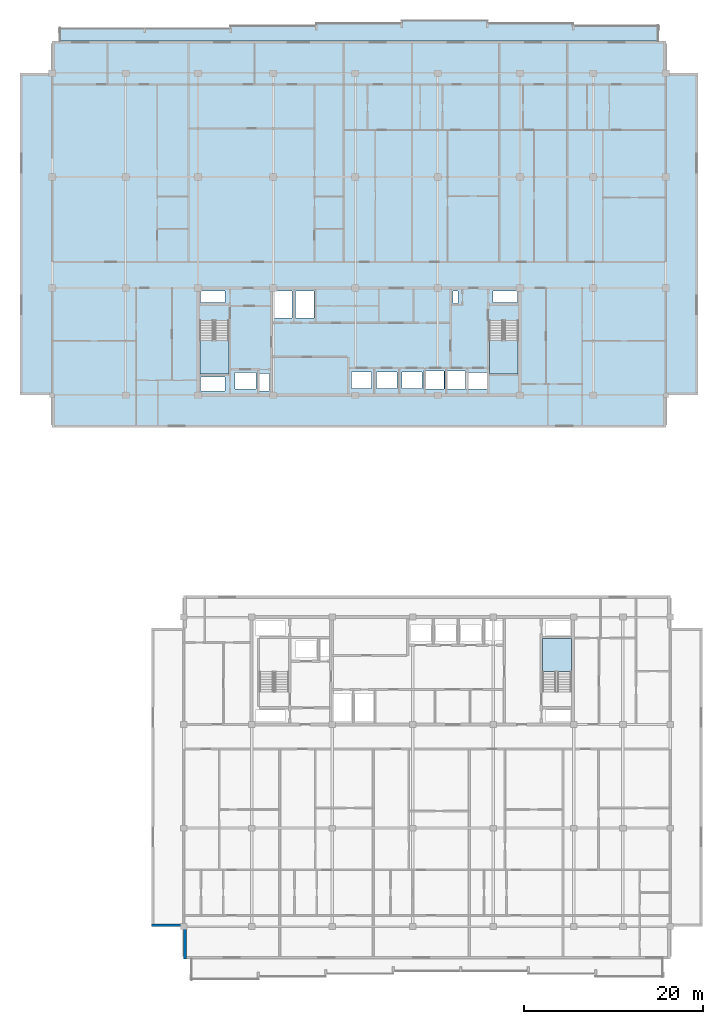
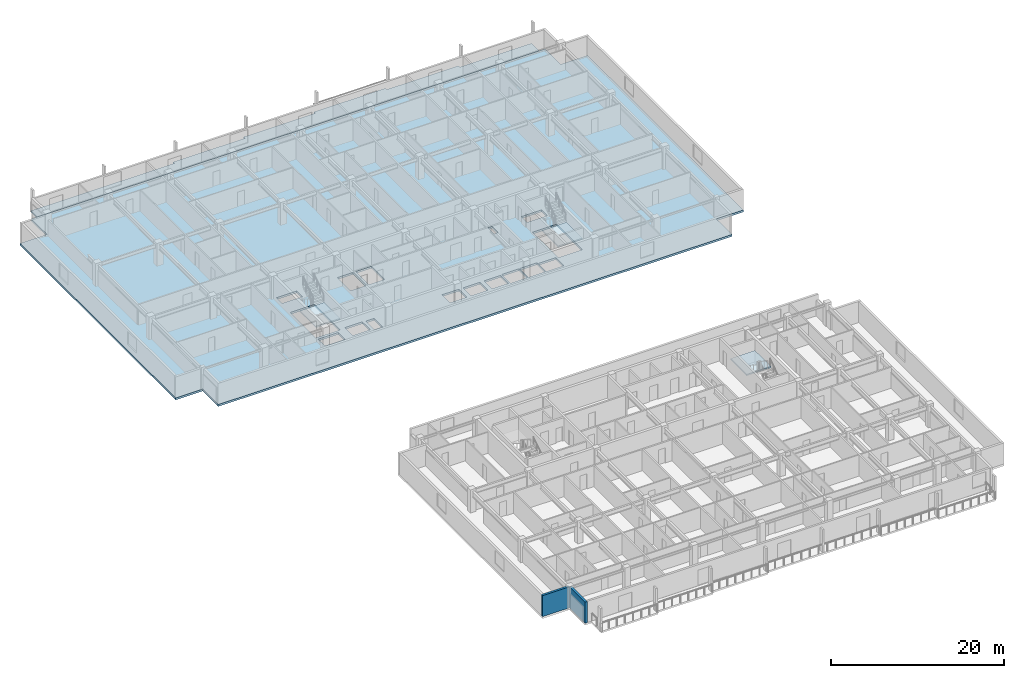
# One storey, part 3 of 21: 5 slabs, 2 walls, 3 elements without a shape of their own.
"""IFC4 building model written with IfcOpenShell, lengths in metres."""

from ifc_helpers import new_model, si_unit, direction, frame, frame_2d, origin, place, context, subcontext, project, spatial, polyline, rectangle, outline, extrude, material, layer, layer_set, type_object, element, aggregate, save


model = new_model("IFC4")

# Units and contexts
model_context = context("Model", 3, precision=1e-05, world=origin(), true_north=direction((0.0, 1.0)))
body_context = subcontext(model_context, "Body", "Model", "MODEL_VIEW")
ifc_project = project(units=[si_unit("LENGTHUNIT", "METRE"), si_unit("AREAUNIT", "SQUARE_METRE"), si_unit("VOLUMEUNIT", "CUBIC_METRE"), si_unit("PLANEANGLEUNIT", "RADIAN"), si_unit("MASSUNIT", "GRAM", prefix="KILO")], contexts=[model_context])

# Site, building, storey
site_placement = place(None, origin())
site = spatial("IfcSite", under=ifc_project, at=site_placement, CompositionType="ELEMENT")
building_placement = place(site_placement, origin())
building = spatial("IfcBuilding", under=site, at=building_placement, Name="Korimba Cascade Residences", CompositionType="ELEMENT")
storey_placement = place(building_placement, frame((0.0, 0.0, 175.10009765625)))
storey = spatial("IfcBuildingStorey", under=building, at=storey_placement, Name="L50", CompositionType="ELEMENT", Elevation=175.10009765625)

# Stair, slab
ifc_material_1 = material(Name="Concrete C50/60", Category="concrete")
stair_type_1 = type_object("IfcStairType", Name="STR-W1-18R-1806", PredefinedType="HALF_TURN_STAIR", material=ifc_material_1)
stair_1_placement = place(storey_placement, origin())
stair_1 = element("IfcStair", 1, at=stair_1_placement, inside=storey, type_object=stair_type_1, Name="L50 Tower 1 West Fire Stair ST-W1", PredefinedType="HALF_TURN_STAIR")
ifc_layer_1 = layer(ifc_material_1, 0.199951171875)
ifc_layer_set_1 = layer_set([ifc_layer_1], Name="Concrete C50/60")
slab_type_1 = type_object("IfcSlabType", Name="SLB-LND-220", PredefinedType="LANDING", material=ifc_layer_set_1)
slab_1_placement = place(storey_placement, frame((0.0, 0.0, 1.4248046875)))
slab_1 = element("IfcSlab", 2, at=slab_1_placement, type_object=slab_type_1, Name="ST-W1 landing 1", PredefinedType="LANDING", context=body_context, shape_type="SweptSolid", body=[
    extrude(outline(polyline([(76.300048828125, 61.31005859375), (76.300048828125, 57.60009765625), (79.5400390625, 57.60009765625), (79.5400390625, 61.31005859375), (76.300048828125, 61.31005859375)])), origin(), (0.0, 0.0, 1.0), 0.2001953125),
])
aggregate(stair_1, [slab_1])

stair_type_2 = type_object("IfcStairType", Name="STR-W2-18R-1806", PredefinedType="HALF_TURN_STAIR", material=ifc_material_1)
stair_2_placement = place(storey_placement, origin())
stair_2 = element("IfcStair", 3, at=stair_2_placement, inside=storey, type_object=stair_type_2, Name="L50 Tower 1 East Fire Stair ST-W2", PredefinedType="HALF_TURN_STAIR")
slab_2_placement = place(storey_placement, frame((0.0, 0.0, 1.4248046875)))
slab_2 = element("IfcSlab", 4, at=slab_2_placement, type_object=slab_type_1, Name="ST-W2 landing 1", PredefinedType="LANDING", context=body_context, shape_type="SweptSolid", body=[
    extrude(outline(polyline([(108.659912109375, 61.31005859375), (108.659912109375, 57.60009765625), (111.89990234375, 57.60009765625), (111.89990234375, 61.31005859375), (108.659912109375, 61.31005859375)])), origin(), (0.0, 0.0, 1.0), 0.2001953125),
])
aggregate(stair_2, [slab_2])

stair_type_3 = type_object("IfcStairType", Name="STR-E2-18R-1806", PredefinedType="HALF_TURN_STAIR", material=ifc_material_1)
stair_3_placement = place(storey_placement, origin())
stair_3 = element("IfcStair", 5, at=stair_3_placement, inside=storey, type_object=stair_type_3, Name="L50 Tower 2 East Fire Stair ST-E2", PredefinedType="HALF_TURN_STAIR")
slab_3_placement = place(storey_placement, frame((0.0, 0.0, 1.4248046875)))
slab_3 = element("IfcSlab", 6, at=slab_3_placement, type_object=slab_type_1, Name="ST-E2 landing 1", PredefinedType="LANDING", context=body_context, shape_type="SweptSolid", body=[
    extrude(outline(polyline([(117.840087890625, 24.2900390625), (117.840087890625, 28.0), (114.60009765625, 28.0), (114.60009765625, 24.2900390625), (117.840087890625, 24.2900390625)])), origin(), (0.0, 0.0, 1.0), 0.2001953125),
])
aggregate(stair_3, [slab_3])

# Slabs
ifc_material_2 = material(Name="Precast concrete C40/50", Category="concrete")
ifc_layer_2 = layer(ifc_material_2, 0.239990234375)
ifc_layer_set_2 = layer_set([ifc_layer_2], Name="Precast concrete C40/50")
slab_type_2 = type_object("IfcSlabType", Name="SLB-LOG-240", PredefinedType="FLOOR", material=ifc_layer_set_2)
slab_4_placement = place(storey_placement, frame((0.0, 0.0, -0.239990234375)))
element("IfcSlab", 7, at=slab_4_placement, inside=storey, type_object=slab_type_2, Name="L50 Tower 1 North Loggia Slab", PredefinedType="FLOOR", context=body_context, shape_type="SweptSolid", body=[
    extrude(outline(polyline([(60.60009765625, 94.800048828125), (127.60009765625, 94.800048828125), (127.60009765625, 96.550048828125), (118.028564453125, 96.550048828125), (118.028564453125, 96.85009765625), (108.45703125, 96.85009765625), (108.45703125, 97.14990234375), (98.8857421875, 97.14990234375), (98.8857421875, 96.85009765625), (89.314208984375, 96.85009765625), (89.314208984375, 96.550048828125), (79.742919921875, 96.550048828125), (79.742919921875, 96.25), (60.60009765625, 96.25), (60.60009765625, 94.800048828125)])), origin(), (0.0, 0.0, 1.0), 0.239990234375),
])
ifc_layer_3 = layer(ifc_material_1, 0.280029296875)
ifc_layer_set_3 = layer_set([ifc_layer_3], Name="Concrete C50/60")
slab_type_3 = type_object("IfcSlabType", Name="SLB-TYP-280", PredefinedType="FLOOR", material=ifc_layer_set_3)
slab_5_placement = place(storey_placement, frame((0.0, 0.0, -0.280029296875)))
element("IfcSlab", 8, at=slab_5_placement, inside=storey, type_object=slab_type_3, Name="L50 Tower 1 Floor Slab", PredefinedType="FLOOR", context=body_context, shape_type="SweptSolid", body=[
    extrude(outline(polyline([(59.800048828125, 51.60009765625), (128.39990234375, 51.60009765625), (128.39990234375, 55.199951171875), (132.0, 55.199951171875), (132.0, 91.199951171875), (128.39990234375, 91.199951171875), (128.39990234375, 94.800048828125), (59.800048828125, 94.800048828125), (59.800048828125, 91.199951171875), (56.199951171875, 91.199951171875), (56.199951171875, 55.199951171875), (59.800048828125, 55.199951171875), (59.800048828125, 51.60009765625)]), holes=[polyline([(76.300048828125, 63.514892578125), (76.300048828125, 57.60009765625), (79.5400390625, 57.60009765625), (79.5400390625, 63.514892578125), (76.300048828125, 63.514892578125)]), polyline([(108.659912109375, 63.514892578125), (108.659912109375, 57.60009765625), (111.89990234375, 57.60009765625), (111.89990234375, 63.514892578125), (108.659912109375, 63.514892578125)]), polyline([(80.22998046875, 55.8798828125), (82.570068359375, 55.8798828125), (82.570068359375, 57.719970703125), (80.22998046875, 57.719970703125), (80.22998046875, 55.8798828125)]), polyline([(106.080078125, 55.8798828125), (108.419921875, 55.8798828125), (108.419921875, 57.719970703125), (106.080078125, 57.719970703125), (106.080078125, 55.8798828125)]), polyline([(93.280029296875, 55.97998046875), (95.52001953125, 55.97998046875), (95.52001953125, 57.820068359375), (93.280029296875, 57.820068359375), (93.280029296875, 55.97998046875)]), polyline([(96.080078125, 55.97998046875), (98.320068359375, 55.97998046875), (98.320068359375, 57.820068359375), (96.080078125, 57.820068359375), (96.080078125, 55.97998046875)]), polyline([(98.8798828125, 55.97998046875), (101.1201171875, 55.97998046875), (101.1201171875, 57.820068359375), (98.8798828125, 57.820068359375), (98.8798828125, 55.97998046875)]), polyline([(101.304931640625, 55.8798828125), (103.594970703125, 55.8798828125), (103.594970703125, 57.919921875), (101.304931640625, 57.919921875), (101.304931640625, 55.8798828125)]), polyline([(103.705078125, 55.8798828125), (105.9951171875, 55.8798828125), (105.9951171875, 57.919921875), (103.705078125, 57.919921875), (103.705078125, 55.8798828125)]), polyline([(82.97998046875, 55.679931640625), (84.080078125, 55.679931640625), (84.080078125, 57.6201171875), (82.97998046875, 57.6201171875), (82.97998046875, 55.679931640625)]), polyline([(76.39990234375, 65.56005859375), (79.10009765625, 65.56005859375), (79.10009765625, 66.8798828125), (76.39990234375, 66.8798828125), (76.39990234375, 65.56005859375)]), polyline([(76.39990234375, 55.679931640625), (79.10009765625, 55.679931640625), (79.10009765625, 57.239990234375), (76.39990234375, 57.239990234375), (76.39990234375, 55.679931640625)]), polyline([(84.530029296875, 63.820068359375), (86.6201171875, 63.820068359375), (86.6201171875, 66.8798828125), (84.530029296875, 66.8798828125), (84.530029296875, 63.820068359375)]), polyline([(86.97998046875, 63.820068359375), (89.070068359375, 63.820068359375), (89.070068359375, 66.8798828125), (86.97998046875, 66.8798828125), (86.97998046875, 63.820068359375)]), polyline([(104.6201171875, 65.4599609375), (105.179931640625, 65.4599609375), (105.179931640625, 66.8798828125), (104.6201171875, 66.8798828125), (104.6201171875, 65.4599609375)]), polyline([(109.080078125, 65.56005859375), (111.800048828125, 65.56005859375), (111.800048828125, 66.8798828125), (109.080078125, 66.8798828125), (109.080078125, 65.56005859375)])]), origin(), (0.0, 0.0, 1.0), 0.280029296875),
])

# Walls
ifc_layer_4 = layer(ifc_material_2, 0.300048828125)
ifc_layer_set_4 = layer_set([ifc_layer_4], Name="Precast concrete C40/50")
wall_type = type_object("IfcWallType", Name="EW-STONE-300", PredefinedType="STANDARD", material=ifc_layer_set_4)
for number, where, z_axis, x_axis, name in (
    (9, (70.89990234375, -4.050048828125, 0.0), (0.0, 0.0, 1.0), (1.0, 0.0, 0.0), "L50 T2 Perimeter Stone Wall E10"),
    (10, (74.64990234375, -4.199951171875, 0.0), (0.0, 0.0, 1.0), (0.0, -1.0, 0.0), "L50 T2 Perimeter Stone Wall E11"),
):
    element("IfcWall", number, at=place(storey_placement, frame(where, z_axis=z_axis, x_axis=x_axis)), inside=storey, type_object=wall_type, Name=name, PredefinedType="STANDARD", context=body_context, shape_type="SweptSolid", body=[
        extrude(rectangle(XDim=3.60009765625, YDim=0.300048828125, at=frame_2d((1.800048828125, 0.0))), origin(), (0.0, 0.0, 1.0), 2.969970703125),
    ])

save(model, "model.ifc")
